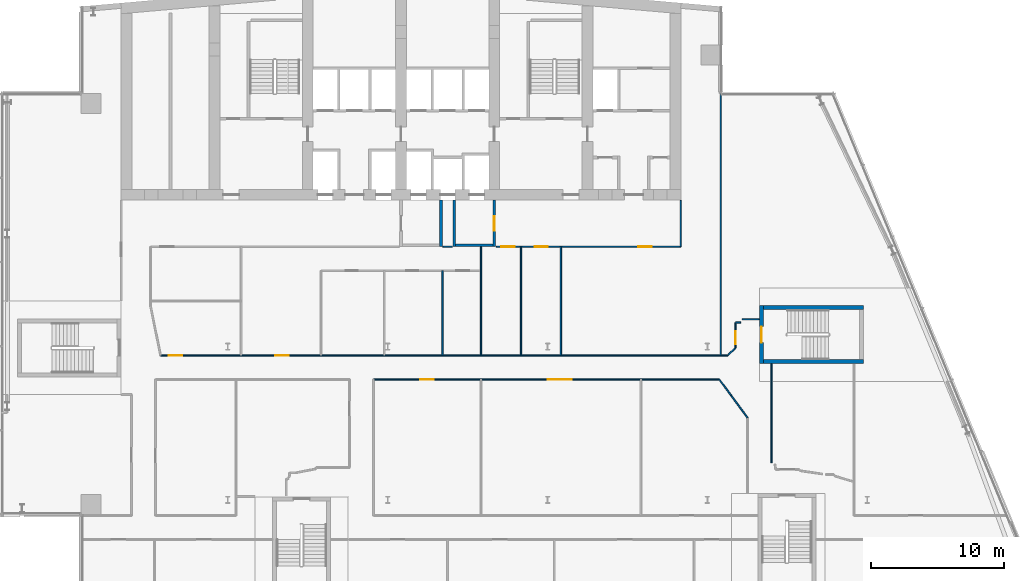
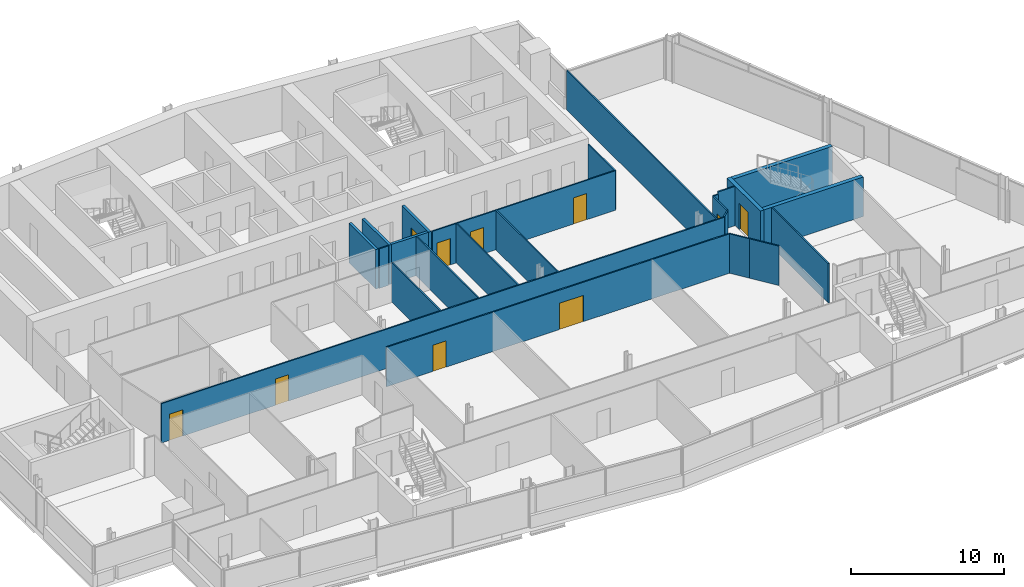
# One storey, part 18 of 24: 24 walls, 10 doors, 10 openings.
"""IFC4 building model written with IfcOpenShell, lengths in metres."""

import ifcopenshell
import ifcopenshell.guid

model = None  # the IFC model being written
_history = None  # IfcOwnerHistory: only IFC2X3 demands one
_inside = {}  # id of a spatial element -> (the spatial element, [elements in it])
_under = {}  # id of a project, library or spatial element -> (it, [spatial elements below it])
_declared = {}  # id of a project -> (the project, [libraries it declares])
_typed = {}  # id of a type object -> (the type object, [elements of that type])
_made_of = {}  # id of a material, layer set ... -> (it, [elements and type objects made of it])


def new_model(schema):
    """Start an empty IFC model of exactly this schema.

    Asked for "IFC4X3", IfcOpenShell would pick the latest addendum, in which some entities
    have other attributes; the version numbers below select the first issue.
    IFC2X3 requires an IfcOwnerHistory on every rooted entity: one is made here for all.
    """
    global model, _history
    if schema == "IFC4X3":
        model = ifcopenshell.file(schema_version=(4, 3, 0, 0))
    else:
        model = ifcopenshell.file(schema=schema)
    _inside.clear()
    _under.clear()
    _declared.clear()
    _typed.clear()
    _made_of.clear()
    _history = None
    if model.schema == "IFC2X3":
        org = make("IfcOrganization", Name="unknown")
        user = make(
            "IfcPersonAndOrganization",
            ThePerson=make("IfcPerson", FamilyName="unknown"),
            TheOrganization=org,
        )
        app = make(
            "IfcApplication",
            ApplicationDeveloper=org,
            Version="unknown",
            ApplicationFullName="unknown",
            ApplicationIdentifier="unknown",
        )
        _history = make(
            "IfcOwnerHistory",
            OwningUser=user,
            OwningApplication=app,
            ChangeAction="ADDED",
            CreationDate=0,
        )
    return model


def make(cls, **values):
    """One entity of the class cls with the attributes given. An attribute that is None is left unset."""
    return model.create_entity(
        cls, **{name: value for name, value in values.items() if value is not None}
    )


def rooted(cls, **values):
    """An entity with a GlobalId (a new one), such as an element, a storey or a relation."""
    return make(cls, GlobalId=ifcopenshell.guid.new(), OwnerHistory=_history, **values)


def si_unit(unit_type, name, prefix=None):
    """IfcSIUnit, for example si_unit("LENGTHUNIT", "METRE", prefix="MILLI")."""
    return make("IfcSIUnit", UnitType=unit_type, Prefix=prefix, Name=name)


def assignment(units):
    """IfcUnitAssignment: the units of a project."""
    return None if units is None else make("IfcUnitAssignment", Units=units)


def point(xyz):
    """IfcCartesianPoint."""
    return None if xyz is None else make("IfcCartesianPoint", Coordinates=xyz)


def direction(xyz):
    """IfcDirection."""
    return None if xyz is None else make("IfcDirection", DirectionRatios=xyz)


def frame(location, z_axis=None, x_axis=None):
    """IfcAxis2Placement3D, a coordinate frame: its origin and axes. An axis left out is left unset."""
    return make(
        "IfcAxis2Placement3D",
        Location=point(location),
        Axis=direction(z_axis),
        RefDirection=direction(x_axis),
    )


def frame_2d(location, x_axis=None):
    """IfcAxis2Placement2D, a coordinate frame in the plane: its origin and x axis."""
    return make(
        "IfcAxis2Placement2D", Location=point(location), RefDirection=direction(x_axis)
    )


def origin():
    """The frame at (0, 0, 0) with its axes left unset."""
    return frame((0.0, 0.0, 0.0))


def place(relative_to, where):
    """IfcLocalPlacement: puts the frame where relative to a parent placement (None: the world)."""
    return make(
        "IfcLocalPlacement", PlacementRelTo=relative_to, RelativePlacement=where
    )


def context(
    kind, dimensions, precision=None, world=None, true_north=None, identifier=None
):
    """IfcGeometricRepresentationContext, for example the 3D "Model" context."""
    return make(
        "IfcGeometricRepresentationContext",
        ContextIdentifier=identifier,
        ContextType=kind,
        CoordinateSpaceDimension=dimensions,
        Precision=precision,
        WorldCoordinateSystem=world,
        TrueNorth=true_north,
    )


def subcontext(parent, identifier, kind, view, scale=None):
    """IfcGeometricRepresentationSubContext, for example "Body" below "Model"."""
    return make(
        "IfcGeometricRepresentationSubContext",
        ContextIdentifier=identifier,
        ContextType=kind,
        ParentContext=parent,
        TargetScale=scale,
        TargetView=view,
    )


def project(units=None, contexts=None):
    """IfcProject with its units and contexts."""
    return rooted(
        "IfcProject",
        Name="project",
        RepresentationContexts=contexts,
        UnitsInContext=assignment(units),
    )


def spatial(cls, under=None, at=None, **own):
    """A site, building, storey or space (cls), placed at a placement, below another one or the project."""
    s = rooted(cls, ObjectPlacement=at, **own)
    if under is not None:
        _under.setdefault(under.id(), (under, []))[1].append(s)
    return s


def profile(cls, at=None, kind="AREA", **sizes):
    """A parametric profile (cls). Its sizes go by their IFC names, for example OverallWidth=200.0."""
    return make(cls, ProfileType=kind, Position=at, **sizes)


def rectangle(**sizes):
    """IfcRectangleProfileDef."""
    return profile("IfcRectangleProfileDef", **sizes)


def extrude(swept, where, along, depth):
    """IfcExtrudedAreaSolid: the profile swept, set in the frame where, extruded along a direction by depth."""
    return make(
        "IfcExtrudedAreaSolid",
        SweptArea=swept,
        Position=where,
        ExtrudedDirection=direction(along),
        Depth=depth,
    )


def shape(context_of_items, identifier, shape_type, items):
    """IfcShapeRepresentation: the items that make up one representation, for example the "Body"."""
    return make(
        "IfcShapeRepresentation",
        ContextOfItems=context_of_items,
        RepresentationIdentifier=identifier,
        RepresentationType=shape_type,
        Items=items,
    )


def material(Name=None, Category=None):
    """IfcMaterial."""
    return make("IfcMaterial", Name=Name, Category=Category)


def layer(
    of_material, thickness, ventilated=None, Name=None, Category=None, Priority=None
):
    """IfcMaterialLayer: one layer of a wall or slab, of a material (None: an air gap)."""
    return make(
        "IfcMaterialLayer",
        Material=of_material,
        LayerThickness=thickness,
        IsVentilated=ventilated,
        Name=Name,
        Category=Category,
        Priority=Priority,
    )


def layer_set(layers, Name=None):
    """IfcMaterialLayerSet."""
    return make("IfcMaterialLayerSet", MaterialLayers=layers, LayerSetName=Name)


def made_of(thing, what):
    """Note that an element or type object is made of a material, layer set ...; save() writes the relation."""
    if what is not None:
        _made_of.setdefault(what.id(), (what, []))[1].append(thing)
    return thing


def type_object(cls, material=None, **own):
    """A type object (cls), such as IfcWallType, which elements share."""
    return made_of(rooted(cls, **own), material)


def element(
    cls,
    number,
    at=None,
    inside=None,
    cuts=None,
    type_object=None,
    material=None,
    context=None,
    identifier="Body",
    shape_type=None,
    held_by="IfcProductDefinitionShape",
    body=None,
    shapes=None,
    **own,
):
    """One element of the class cls, such as IfcWall. Its Tag is "e" and its number.

    at: its placement. inside: the storey or other place that contains it. cuts: it is an
    opening in that element (IfcRelVoidsElement). A single representation is given by context,
    identifier, shape_type and body (its items); several are given by shapes. held_by: the class
    of the entity that holds the representations. save() writes the other relations.
    """
    e = rooted(cls, Tag="e%d" % number, ObjectPlacement=at, **own)
    if body is not None:
        shapes = [shape(context, identifier, shape_type, body)]
    if shapes is not None:
        e.Representation = make(held_by, Representations=shapes)
    if inside is not None:
        _inside.setdefault(inside.id(), (inside, []))[1].append(e)
    if cuts is not None:
        rooted(
            "IfcRelVoidsElement", RelatingBuildingElement=cuts, RelatedOpeningElement=e
        )
    if type_object is not None:
        _typed.setdefault(type_object.id(), (type_object, []))[1].append(e)
    return made_of(e, material)


def fill(opening, filler):
    """IfcRelFillsElement: the door or window that sits in an opening."""
    return rooted(
        "IfcRelFillsElement",
        RelatingOpeningElement=opening,
        RelatedBuildingElement=filler,
    )


def aggregate(whole, parts):
    """IfcRelAggregates: a whole, such as a stair, and the parts it consists of."""
    return rooted("IfcRelAggregates", RelatingObject=whole, RelatedObjects=parts)


def save(model, path):
    """Write the relations noted so far, then the file.

    IfcRelAggregates (storeys below a building ...), IfcRelContainedInSpatialStructure (elements
    in a storey), IfcRelDefinesByType, IfcRelAssociatesMaterial and IfcRelDeclares: one each for
    every whole, place, type object, material and project.
    """
    for whole, parts in _under.values():
        aggregate(whole, parts)
    for where, things in _inside.values():
        rooted(
            "IfcRelContainedInSpatialStructure",
            RelatedElements=things,
            RelatingStructure=where,
        )
    for kind, things in _typed.values():
        rooted("IfcRelDefinesByType", RelatedObjects=things, RelatingType=kind)
    for what, things in _made_of.values():
        rooted("IfcRelAssociatesMaterial", RelatedObjects=things, RelatingMaterial=what)
    for by, libraries in _declared.values():
        rooted("IfcRelDeclares", RelatingContext=by, RelatedDefinitions=libraries)
    model.write(path)


model = new_model("IFC4")

# Units and contexts
model_context = context("Model", 3, precision=1e-05, world=origin(), true_north=direction((0.0, 1.0)))
body_context = subcontext(model_context, "Body", "Model", "MODEL_VIEW")
ifc_project = project(units=[si_unit("LENGTHUNIT", "METRE"), si_unit("AREAUNIT", "SQUARE_METRE"), si_unit("VOLUMEUNIT", "CUBIC_METRE"), si_unit("PLANEANGLEUNIT", "RADIAN"), si_unit("MASSUNIT", "GRAM", prefix="KILO")], contexts=[model_context])

# Site, building, storey
site_placement = place(None, origin())
site = spatial("IfcSite", under=ifc_project, at=site_placement, CompositionType="ELEMENT")
building_placement = place(site_placement, origin())
building = spatial("IfcBuilding", under=site, at=building_placement, Name="Wharfspan Tower", CompositionType="ELEMENT")
storey_placement = place(building_placement, frame((0.0, 0.0, 198.699951)))
storey = spatial("IfcBuildingStorey", under=building, at=storey_placement, Name="L49", CompositionType="ELEMENT", Elevation=198.699951)

# Wall, openings, doors
ifc_material_1 = material(Name="Gypsum board on steel studs", Category="steel")
ifc_layer_1 = layer(ifc_material_1, 0.100098)
ifc_layer_set_1 = layer_set([ifc_layer_1], Name="Gypsum board on steel studs")
wall_type_1 = type_object("IfcWallType", Name="Compartment wall 100 EI 60", PredefinedType="PARTITIONING", material=ifc_layer_set_1)
wall_1_placement = place(storey_placement, frame((18.955078, 22.340088, 0.0), z_axis=(0.0, 0.0, 1.0), x_axis=(1.0, 0.0, 0.0)))
wall_1 = element("IfcWall", 1, at=wall_1_placement, inside=storey, type_object=wall_type_1, Name="Partition L49.w018", PredefinedType="PARTITIONING", context=body_context, shape_type="SweptSolid", body=[
    extrude(rectangle(XDim=42.554932, YDim=0.100098, at=frame_2d((21.277344, 0.0))), origin(), (0.0, 0.0, 1.0), 3.150146),
])
opening_1_placement = place(wall_1_placement, frame((0.620117, 0.0, 0.0)))
opening_1 = element("IfcOpeningElement", 2, at=opening_1_placement, cuts=wall_1, Name="Opening C6-17", PredefinedType="OPENING", context=body_context, shape_type="SweptSolid", body=[
    extrude(rectangle(XDim=1.0, YDim=2.100098, at=frame_2d((0.5, 1.050049))), frame((0.0, 0.060059, 0.0), z_axis=(0.0, -1.0, 0.0), x_axis=(1.0, 0.0, 0.0)), (0.0, 0.0, 1.0), 0.120117),
])
opening_2_placement = place(wall_1_placement, frame((8.620117, 0.0, 0.0)))
opening_2 = element("IfcOpeningElement", 3, at=opening_2_placement, cuts=wall_1, Name="Opening C6-18", PredefinedType="OPENING", context=body_context, shape_type="SweptSolid", body=[
    extrude(rectangle(XDim=1.0, YDim=2.100098, at=frame_2d((0.5, 1.050049))), frame((0.0, 0.060059, 0.0), z_axis=(0.0, -1.0, 0.0), x_axis=(1.0, 0.0, 0.0)), (0.0, 0.0, 1.0), 0.120117),
])
ifc_material_2 = material(Name="Fire-rated timber door leaf in steel frame", Category="steel")
door_type_1 = type_object("IfcDoorType", Name="Door 1000 FD30S Left", OperationType="SINGLE_SWING_LEFT", PredefinedType="DOOR", material=ifc_material_2)
door_1_placement = place(opening_1_placement, origin())
door_1 = element("IfcDoor", 4, at=door_1_placement, inside=storey, type_object=door_type_1, Name="Door C6-17", OperationType="SINGLE_SWING_LEFT", OverallHeight=2.100098, OverallWidth=1.0, PredefinedType="DOOR", context=body_context, shape_type="SweptSolid", body=[
    extrude(rectangle(XDim=1.0, YDim=2.100098, at=frame_2d((0.5, 1.050049))), frame((0.0, 0.024902, 0.0), z_axis=(0.0, -1.0, 0.0), x_axis=(1.0, 0.0, 0.0)), (0.0, 0.0, 1.0), 0.050049),
])
fill(opening_1, door_1)
door_2_placement = place(opening_2_placement, origin())
door_2 = element("IfcDoor", 5, at=door_2_placement, inside=storey, type_object=door_type_1, Name="Door C6-18", OperationType="SINGLE_SWING_LEFT", OverallHeight=2.100098, OverallWidth=1.0, PredefinedType="DOOR", context=body_context, shape_type="SweptSolid", body=[
    extrude(rectangle(XDim=1.0, YDim=2.100098, at=frame_2d((0.5, 1.050049))), frame((0.0, 0.024902, 0.0), z_axis=(0.0, -1.0, 0.0), x_axis=(1.0, 0.0, 0.0)), (0.0, 0.0, 1.0), 0.050049),
])
fill(opening_2, door_2)

wall_2_placement = place(storey_placement, frame((34.945068, 20.534912, 0.0), z_axis=(0.0, 0.0, 1.0), x_axis=(1.0, 0.0, 0.0)))
wall_2 = element("IfcWall", 6, at=wall_2_placement, inside=storey, type_object=wall_type_1, Name="Partition L49.w037", PredefinedType="PARTITIONING", context=body_context, shape_type="SweptSolid", body=[
    extrude(rectangle(XDim=25.944824, YDim=0.100098, at=frame_2d((12.972412, 0.0))), origin(), (0.0, 0.0, 1.0), 3.150146),
])
opening_3_placement = place(wall_2_placement, frame((3.5, 0.0, 0.0)))
opening_3 = element("IfcOpeningElement", 7, at=opening_3_placement, cuts=wall_2, Name="Opening C6-15", PredefinedType="OPENING", context=body_context, shape_type="SweptSolid", body=[
    extrude(rectangle(XDim=1.0, YDim=2.100098, at=frame_2d((0.5, 1.050049))), frame((0.0, 0.060059, 0.0), z_axis=(0.0, -1.0, 0.0), x_axis=(1.0, 0.0, 0.0)), (0.0, 0.0, 1.0), 0.120117),
])
opening_4_placement = place(wall_2_placement, frame((13.074951, 0.0, 0.0)))
opening_4 = element("IfcOpeningElement", 8, at=opening_4_placement, cuts=wall_2, Name="Opening C6-16", PredefinedType="OPENING", context=body_context, shape_type="SweptSolid", body=[
    extrude(rectangle(XDim=1.800049, YDim=2.100098, at=frame_2d((0.899902, 1.050049))), frame((0.0, 0.060059, 0.0), z_axis=(0.0, -1.0, 0.0), x_axis=(1.0, 0.0, 0.0)), (0.0, 0.0, 1.0), 0.120117),
])
door_3_placement = place(opening_3_placement, origin())
door_3 = element("IfcDoor", 9, at=door_3_placement, inside=storey, type_object=door_type_1, Name="Door C6-15", OperationType="SINGLE_SWING_LEFT", OverallHeight=2.100098, OverallWidth=1.0, PredefinedType="DOOR", context=body_context, shape_type="SweptSolid", body=[
    extrude(rectangle(XDim=1.0, YDim=2.100098, at=frame_2d((0.5, 1.050049))), frame((0.0, 0.024902, 0.0), z_axis=(0.0, -1.0, 0.0), x_axis=(1.0, 0.0, 0.0)), (0.0, 0.0, 1.0), 0.050049),
])
fill(opening_3, door_3)
door_type_2 = type_object("IfcDoorType", Name="Door 1800 FD30S Double", OperationType="DOUBLE_DOOR_SINGLE_SWING", PredefinedType="DOOR", material=ifc_material_2)
door_4_placement = place(opening_4_placement, origin())
door_4 = element("IfcDoor", 10, at=door_4_placement, inside=storey, type_object=door_type_2, Name="Door C6-16", OperationType="DOUBLE_DOOR_SINGLE_SWING", OverallHeight=2.100098, OverallWidth=1.800049, PredefinedType="DOOR", context=body_context, shape_type="SweptSolid", body=[
    extrude(rectangle(XDim=1.800049, YDim=2.100098, at=frame_2d((0.899902, 1.050049))), frame((0.0, 0.024902, 0.0), z_axis=(0.0, -1.0, 0.0), x_axis=(1.0, 0.0, 0.0)), (0.0, 0.0, 1.0), 0.050049),
])
fill(opening_4, door_4)

# Walls
wall_3_placement = place(storey_placement, frame((40.120117, 22.340088, 0.0), z_axis=(0.0, 0.0, 1.0), x_axis=(0.0, 1.0, 0.0)))
element("IfcWall", 11, at=wall_3_placement, inside=storey, type_object=wall_type_1, Name="Partition L49.w041", PredefinedType="PARTITIONING", context=body_context, shape_type="SweptSolid", body=[
    extrude(rectangle(XDim=6.359863, YDim=0.100098, at=frame_2d((3.179932, 0.0))), origin(), (0.0, 0.0, 1.0), 3.150146),
])
wall_4_placement = place(storey_placement, frame((43.0, 22.340088, 0.0), z_axis=(0.0, 0.0, 1.0), x_axis=(0.0, 1.0, 0.0)))
element("IfcWall", 12, at=wall_4_placement, inside=storey, type_object=wall_type_1, Name="Partition L49.w044", PredefinedType="PARTITIONING", context=body_context, shape_type="SweptSolid", body=[
    extrude(rectangle(XDim=8.149902, YDim=0.100098, at=frame_2d((4.074951, 0.0))), origin(), (0.0, 0.0, 1.0), 3.150146),
])
for number, where, z_axis, x_axis, name in (
    (13, (46.0, 22.340088, 0.0), (0.0, 0.0, 1.0), (0.0, 1.0, 0.0), "Partition L49.w045"),
    (14, (49.0, 22.340088, 0.0), (0.0, 0.0, 1.0), (0.0, 1.0, 0.0), "Partition L49.w048"),
):
    element("IfcWall", number, at=place(storey_placement, frame(where, z_axis=z_axis, x_axis=x_axis)), inside=storey, type_object=wall_type_1, Name=name, PredefinedType="PARTITIONING", context=body_context, shape_type="SweptSolid", body=[
        extrude(rectangle(XDim=8.159912, YDim=0.100098, at=frame_2d((4.080078, 0.0))), origin(), (0.0, 0.0, 1.0), 3.150146),
    ])
wall_5_placement = place(storey_placement, frame((58.0, 30.5, 0.0), z_axis=(0.0, 0.0, 1.0), x_axis=(0.0, 1.0, 0.0)))
element("IfcWall", 15, at=wall_5_placement, inside=storey, type_object=wall_type_1, Name="Partition L49.w050", PredefinedType="PARTITIONING", context=body_context, shape_type="SweptSolid", body=[
    extrude(rectangle(XDim=3.47998, YDim=0.100098, at=frame_2d((1.73999, 0.0))), origin(), (0.0, 0.0, 1.0), 3.150146),
])
wall_6_placement = place(storey_placement, frame((61.0, 22.340088, 0.0), z_axis=(0.0, 0.0, 1.0), x_axis=(0.0, 1.0, 0.0)))
element("IfcWall", 16, at=wall_6_placement, inside=storey, type_object=wall_type_1, Name="Partition L49.w053", PredefinedType="PARTITIONING", context=body_context, shape_type="SweptSolid", body=[
    extrude(rectangle(XDim=19.639893, YDim=0.100098, at=frame_2d((9.819824, 0.0))), origin(), (0.0, 0.0, 1.0), 3.150146),
])
wall_7_placement = place(storey_placement, frame((61.540039, 22.370117, 0.0), z_axis=(0.0, 0.0, 1.0), x_axis=(0.72944, 0.684047, 0.0)))
element("IfcWall", 17, at=wall_7_placement, inside=storey, type_object=wall_type_1, Name="Partition L49.w054", PredefinedType="PARTITIONING", context=body_context, shape_type="SweptSolid", body=[
    extrude(rectangle(XDim=0.774414, YDim=0.100098, at=frame_2d((0.387207, 0.0))), origin(), (0.0, 0.0, 1.0), 3.150146),
])
wall_8_placement = place(storey_placement, frame((61.764893, 19.35498, 0.0), z_axis=(0.0, 0.0, 1.0), x_axis=(-0.595656, 0.803238, 0.0)))
element("IfcWall", 18, at=wall_8_placement, inside=storey, type_object=wall_type_1, Name="Partition L49.w056", PredefinedType="PARTITIONING", context=body_context, shape_type="SweptSolid", body=[
    extrude(rectangle(XDim=1.468994, YDim=0.100098, at=frame_2d((0.734375, 0.0))), origin(), (0.0, 0.0, 1.0), 3.150146),
])

# Wall, opening, door
wall_9_placement = place(storey_placement, frame((62.10498, 22.899902, 0.0), z_axis=(0.0, 0.0, 1.0), x_axis=(0.0, 1.0, 0.0)))
wall_9 = element("IfcWall", 19, at=wall_9_placement, inside=storey, type_object=wall_type_1, Name="Partition L49.w057", PredefinedType="PARTITIONING", context=body_context, shape_type="SweptSolid", body=[
    extrude(rectangle(XDim=1.900146, YDim=0.100098, at=frame_2d((0.950195, 0.0))), origin(), (0.0, 0.0, 1.0), 3.150146),
])
opening_5_placement = place(wall_9_placement, frame((0.269043, 0.0, 0.0)))
opening_5 = element("IfcOpeningElement", 20, at=opening_5_placement, cuts=wall_9, Name="Opening C6-19", PredefinedType="OPENING", context=body_context, shape_type="SweptSolid", body=[
    extrude(rectangle(XDim=1.0, YDim=2.100098, at=frame_2d((0.5, 1.050049))), frame((0.0, 0.060059, 0.0), z_axis=(0.0, -1.0, 0.0), x_axis=(1.0, 0.0, 0.0)), (0.0, 0.0, 1.0), 0.120117),
])
door_5_placement = place(opening_5_placement, origin())
door_5 = element("IfcDoor", 21, at=door_5_placement, inside=storey, type_object=door_type_1, Name="Door C6-19", OperationType="SINGLE_SWING_LEFT", OverallHeight=2.100098, OverallWidth=1.0, PredefinedType="DOOR", context=body_context, shape_type="SweptSolid", body=[
    extrude(rectangle(XDim=1.0, YDim=2.100098, at=frame_2d((0.5, 1.050049))), frame((0.0, 0.024902, 0.0), z_axis=(0.0, -1.0, 0.0), x_axis=(1.0, 0.0, 0.0)), (0.0, 0.0, 1.0), 0.050049),
])
fill(opening_5, door_5)

# Walls
wall_10_placement = place(storey_placement, frame((62.10498, 24.800049, 0.0), z_axis=(0.0, 0.0, 1.0), x_axis=(1.0, 0.0, 0.0)))
element("IfcWall", 22, at=wall_10_placement, inside=storey, type_object=wall_type_1, Name="Partition L49.w058", PredefinedType="PARTITIONING", context=body_context, shape_type="SweptSolid", body=[
    extrude(rectangle(XDim=0.380127, YDim=0.100098, at=frame_2d((0.189941, 0.0))), origin(), (0.0, 0.0, 1.0), 3.150146),
])
wall_11_placement = place(storey_placement, frame((62.60498, 25.050049, 0.0), z_axis=(0.0, 0.0, 1.0), x_axis=(1.0, 0.0, 0.0)))
element("IfcWall", 23, at=wall_11_placement, inside=storey, type_object=wall_type_1, Name="Partition L49.w059", PredefinedType="PARTITIONING", context=body_context, shape_type="SweptSolid", body=[
    extrude(rectangle(XDim=1.279541, YDim=0.100098, at=frame_2d((0.639648, 0.0))), origin(), (0.0, 0.0, 1.0), 3.150146),
])
wall_12_placement = place(storey_placement, frame((63.004883, 17.669922, 0.0), z_axis=(0.0, 0.0, 1.0), x_axis=(-0.592694, 0.805429, 0.0)))
element("IfcWall", 24, at=wall_12_placement, inside=storey, type_object=wall_type_1, Name="Partition L49.w060", PredefinedType="PARTITIONING", context=body_context, shape_type="SweptSolid", body=[
    extrude(rectangle(XDim=2.092041, YDim=0.100098, at=frame_2d((1.045898, 0.0))), origin(), (0.0, 0.0, 1.0), 3.150146),
])
wall_13_placement = place(storey_placement, frame((64.804932, 14.304932, 0.0), z_axis=(0.0, 0.0, 1.0), x_axis=(0.0, 1.0, 0.0)))
element("IfcWall", 25, at=wall_13_placement, inside=storey, type_object=wall_type_1, Name="Partition L49.w062", PredefinedType="PARTITIONING", context=body_context, shape_type="SweptSolid", body=[
    extrude(rectangle(XDim=7.420166, YDim=0.100098, at=frame_2d((3.709961, 0.0))), origin(), (0.0, 0.0, 1.0), 3.150146),
])
wall_14_placement = place(storey_placement, frame((40.149902, 30.5, 0.0), z_axis=(0.0, 0.0, 1.0), x_axis=(1.0, 0.0, 0.0)))
element("IfcWall", 26, at=wall_14_placement, inside=storey, type_object=wall_type_1, Name="Partition L49.w011 (2)", PredefinedType="PARTITIONING", context=body_context, shape_type="SweptSolid", body=[
    extrude(rectangle(XDim=0.700195, YDim=0.100098, at=frame_2d((0.350098, 0.0))), origin(), (0.0, 0.0, 1.0), 3.150146),
])

# Wall, openings, doors
wall_15_placement = place(storey_placement, frame((44.149902, 30.5, 0.0), z_axis=(0.0, 0.0, 1.0), x_axis=(1.0, 0.0, 0.0)))
wall_15 = element("IfcWall", 27, at=wall_15_placement, inside=storey, type_object=wall_type_1, Name="Partition L49.w011 (3)", PredefinedType="PARTITIONING", context=body_context, shape_type="SweptSolid", body=[
    extrude(rectangle(XDim=13.850098, YDim=0.100098, at=frame_2d((6.925049, 0.0))), origin(), (0.0, 0.0, 1.0), 3.150146),
])
opening_6_placement = place(wall_15_placement, frame((0.370117, 0.0, 0.0)))
opening_6 = element("IfcOpeningElement", 28, at=opening_6_placement, cuts=wall_15, Name="Opening C6-25", PredefinedType="OPENING", context=body_context, shape_type="SweptSolid", body=[
    extrude(rectangle(XDim=1.0, YDim=2.100098, at=frame_2d((0.5, 1.050049))), frame((0.0, 0.060059, 0.0), z_axis=(0.0, -1.0, 0.0), x_axis=(1.0, 0.0, 0.0)), (0.0, 0.0, 1.0), 0.120117),
])
opening_7_placement = place(wall_15_placement, frame((2.870117, 0.0, 0.0)))
opening_7 = element("IfcOpeningElement", 29, at=opening_7_placement, cuts=wall_15, Name="Opening C6-26", PredefinedType="OPENING", context=body_context, shape_type="SweptSolid", body=[
    extrude(rectangle(XDim=1.0, YDim=2.100098, at=frame_2d((0.5, 1.050049))), frame((0.0, 0.060059, 0.0), z_axis=(0.0, -1.0, 0.0), x_axis=(1.0, 0.0, 0.0)), (0.0, 0.0, 1.0), 0.120117),
])
opening_8_placement = place(wall_15_placement, frame((10.669922, 0.0, 0.0)))
opening_8 = element("IfcOpeningElement", 30, at=opening_8_placement, cuts=wall_15, Name="Opening C6-27", PredefinedType="OPENING", context=body_context, shape_type="SweptSolid", body=[
    extrude(rectangle(XDim=1.0, YDim=2.100098, at=frame_2d((0.5, 1.050049))), frame((0.0, 0.060059, 0.0), z_axis=(0.0, -1.0, 0.0), x_axis=(1.0, 0.0, 0.0)), (0.0, 0.0, 1.0), 0.120117),
])
door_type_3 = type_object("IfcDoorType", Name="Door 1000 FD30S Right", OperationType="SINGLE_SWING_RIGHT", PredefinedType="DOOR", material=ifc_material_2)
door_6_placement = place(opening_6_placement, origin())
door_6 = element("IfcDoor", 31, at=door_6_placement, inside=storey, type_object=door_type_3, Name="Door C6-25", OperationType="SINGLE_SWING_RIGHT", OverallHeight=2.100098, OverallWidth=1.0, PredefinedType="DOOR", context=body_context, shape_type="SweptSolid", body=[
    extrude(rectangle(XDim=1.0, YDim=2.100098, at=frame_2d((0.5, 1.050049))), frame((0.0, 0.024902, 0.0), z_axis=(0.0, -1.0, 0.0), x_axis=(1.0, 0.0, 0.0)), (0.0, 0.0, 1.0), 0.050049),
])
fill(opening_6, door_6)
door_7_placement = place(opening_7_placement, origin())
door_7 = element("IfcDoor", 32, at=door_7_placement, inside=storey, type_object=door_type_3, Name="Door C6-26", OperationType="SINGLE_SWING_RIGHT", OverallHeight=2.100098, OverallWidth=1.0, PredefinedType="DOOR", context=body_context, shape_type="SweptSolid", body=[
    extrude(rectangle(XDim=1.0, YDim=2.100098, at=frame_2d((0.5, 1.050049))), frame((0.0, 0.024902, 0.0), z_axis=(0.0, -1.0, 0.0), x_axis=(1.0, 0.0, 0.0)), (0.0, 0.0, 1.0), 0.050049),
])
fill(opening_7, door_7)
door_8_placement = place(opening_8_placement, origin())
door_8 = element("IfcDoor", 33, at=door_8_placement, inside=storey, type_object=door_type_3, Name="Door C6-27", OperationType="SINGLE_SWING_RIGHT", OverallHeight=2.100098, OverallWidth=1.0, PredefinedType="DOOR", context=body_context, shape_type="SweptSolid", body=[
    extrude(rectangle(XDim=1.0, YDim=2.100098, at=frame_2d((0.5, 1.050049))), frame((0.0, 0.024902, 0.0), z_axis=(0.0, -1.0, 0.0), x_axis=(1.0, 0.0, 0.0)), (0.0, 0.0, 1.0), 0.050049),
])
fill(opening_8, door_8)

# Walls
ifc_material_3 = material(Name="Concrete C30/37", Category="concrete")
ifc_layer_2 = layer(ifc_material_3, 0.199951)
ifc_layer_set_2 = layer_set([ifc_layer_2], Name="Concrete C30/37")
wall_type_2 = type_object("IfcWallType", Name="Lobby wall 200", PredefinedType="PARTITIONING", material=ifc_layer_set_2)
for number, where, z_axis, x_axis, name in (
    (34, (40.0, 30.5, 0.0), (0.0, 0.0, 1.0), (0.0, 1.0, 0.0), "sw:L49:FLFF1E"),
    (35, (41.0, 30.5, 0.0), (0.0, 0.0, 1.0), (0.0, 1.0, 0.0), "sw:L49:FLFF2W"),
):
    element("IfcWall", number, at=place(storey_placement, frame(where, z_axis=z_axis, x_axis=x_axis)), inside=storey, type_object=wall_type_2, Name=name, PredefinedType="PARTITIONING", context=body_context, shape_type="SweptSolid", body=[
        extrude(rectangle(XDim=3.5, YDim=0.199951, at=frame_2d((1.75, 0.0))), origin(), (0.0, 0.0, 1.0), 3.150146),
    ])

# Wall, opening, door
wall_16_placement = place(storey_placement, frame((44.0, 30.5, 0.0), z_axis=(0.0, 0.0, 1.0), x_axis=(0.0, 1.0, 0.0)))
wall_16 = element("IfcWall", 36, at=wall_16_placement, inside=storey, type_object=wall_type_2, Name="sw:L49:FLFF2E", PredefinedType="PARTITIONING", context=body_context, shape_type="SweptSolid", body=[
    extrude(rectangle(XDim=3.5, YDim=0.199951, at=frame_2d((1.75, 0.0))), origin(), (0.0, 0.0, 1.0), 3.150146),
])
opening_9_placement = place(wall_16_placement, frame((1.199951, 0.0, 0.0)))
opening_9 = element("IfcOpeningElement", 37, at=opening_9_placement, cuts=wall_16, Name="Opening FL.FF2.L49", PredefinedType="OPENING", context=body_context, shape_type="SweptSolid", body=[
    extrude(rectangle(XDim=1.100098, YDim=2.100098, at=frame_2d((0.550049, 1.050049))), frame((0.0, 0.109863, 0.0), z_axis=(0.0, -1.0, 0.0), x_axis=(1.0, 0.0, 0.0)), (0.0, 0.0, 1.0), 0.219971),
])
ifc_material_4 = material(Name="Steel door leaf", Category="steel")
door_type_4 = type_object("IfcDoorType", Name="Firefighting lobby door 1100x2100", OperationType="SINGLE_SWING_LEFT", PredefinedType="DOOR", material=ifc_material_4)
door_9_placement = place(opening_9_placement, origin())
door_9 = element("IfcDoor", 38, at=door_9_placement, inside=storey, type_object=door_type_4, Name="fd:L49:FF2", OperationType="SINGLE_SWING_LEFT", OverallHeight=2.100098, OverallWidth=1.100098, PredefinedType="DOOR", context=body_context, shape_type="SweptSolid", body=[
    extrude(rectangle(XDim=1.100098, YDim=2.100098, at=frame_2d((0.550049, 1.050049))), frame((0.0, 0.024902, 0.0), z_axis=(0.0, -1.0, 0.0), x_axis=(1.0, 0.0, 0.0)), (0.0, 0.0, 1.0), 0.050049),
])
fill(opening_9, door_9)

# Wall
wall_17_placement = place(storey_placement, frame((41.100098, 30.600098, 0.0), z_axis=(0.0, 0.0, 1.0), x_axis=(1.0, 0.0, 0.0)))
element("IfcWall", 39, at=wall_17_placement, inside=storey, type_object=wall_type_2, Name="sw:L49:FLFF2F", PredefinedType="PARTITIONING", context=body_context, shape_type="SweptSolid", body=[
    extrude(rectangle(XDim=2.799805, YDim=0.199951, at=frame_2d((1.399902, 0.0))), origin(), (0.0, 0.0, 1.0), 3.150146),
])

# Wall, opening, door
ifc_material_5 = material(Name="Concrete C40/50", Category="concrete")
ifc_layer_3 = layer(ifc_material_5, 0.300049)
ifc_layer_set_3 = layer_set([ifc_layer_3], Name="Concrete C40/50")
wall_type_3 = type_object("IfcWallType", Name="Stair core wall 300", PredefinedType="SHEAR", material=ifc_layer_set_3)
wall_18_placement = place(storey_placement, frame((64.054688, 21.725098, 0.0), z_axis=(0.0, 0.0, 1.0), x_axis=(0.0, 1.0, 0.0)))
wall_18 = element("IfcWall", 40, at=wall_18_placement, inside=storey, type_object=wall_type_3, Name="ST6 stair enclosure wall L49", PredefinedType="SHEAR", context=body_context, shape_type="SweptSolid", body=[
    extrude(rectangle(XDim=4.349854, YDim=0.300049, at=frame_2d((2.174805, 0.0))), origin(), (0.0, 0.0, 1.0), 3.150146),
])
opening_10_placement = place(wall_18_placement, frame((1.574951, 0.0, 0.0)))
opening_10 = element("IfcOpeningElement", 41, at=opening_10_placement, cuts=wall_18, Name="Opening SD6.L49", PredefinedType="OPENING", context=body_context, shape_type="SweptSolid", body=[
    extrude(rectangle(XDim=1.199951, YDim=2.100098, at=frame_2d((0.600098, 1.050049))), frame((0.0, 0.159912, 0.0), z_axis=(0.0, -1.0, 0.0), x_axis=(1.0, 0.0, 0.0)), (0.0, 0.0, 1.0), 0.320068),
])
door_type_5 = type_object("IfcDoorType", Name="Stair door 1200x2100", OperationType="SINGLE_SWING_LEFT", PredefinedType="DOOR", material=ifc_material_4)
door_10_placement = place(opening_10_placement, origin())
door_10 = element("IfcDoor", 42, at=door_10_placement, inside=storey, type_object=door_type_5, Name="sd:L49:ST6z3", OperationType="SINGLE_SWING_RIGHT", OverallHeight=2.100098, OverallWidth=1.199951, PredefinedType="DOOR", context=body_context, shape_type="SweptSolid", body=[
    extrude(rectangle(XDim=1.199951, YDim=2.100098, at=frame_2d((0.600098, 1.050049))), frame((0.0, 0.024902, 0.0), z_axis=(0.0, -1.0, 0.0), x_axis=(1.0, 0.0, 0.0)), (0.0, 0.0, 1.0), 0.050049),
])
fill(opening_10, door_10)

# Walls
for number, where, z_axis, x_axis, name in (
    (43, (64.20459, 21.875, 0.0), (0.0, 0.0, 1.0), (1.0, 0.0, 0.0), "ST6 stair enclosure wall L49"),
    (44, (64.20459, 25.925049, 0.0), (0.0, 0.0, 1.0), (1.0, 0.0, 0.0), "ST6 stair enclosure wall L49"),
):
    element("IfcWall", number, at=place(storey_placement, frame(where, z_axis=z_axis, x_axis=x_axis)), inside=storey, type_object=wall_type_3, Name=name, PredefinedType="SHEAR", context=body_context, shape_type="SweptSolid", body=[
        extrude(rectangle(XDim=7.5, YDim=0.300049, at=frame_2d((3.75, 0.0))), origin(), (0.0, 0.0, 1.0), 3.150146),
    ])

save(model, "model.ifc")
